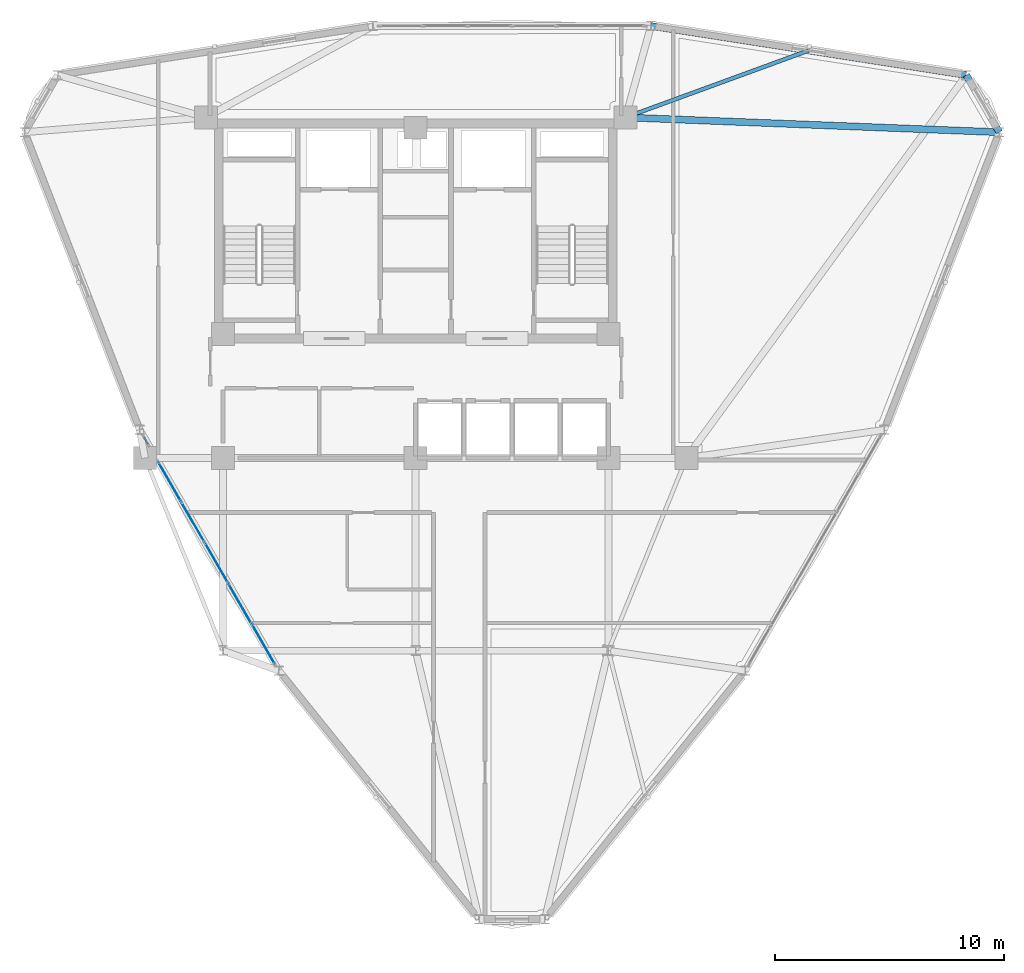
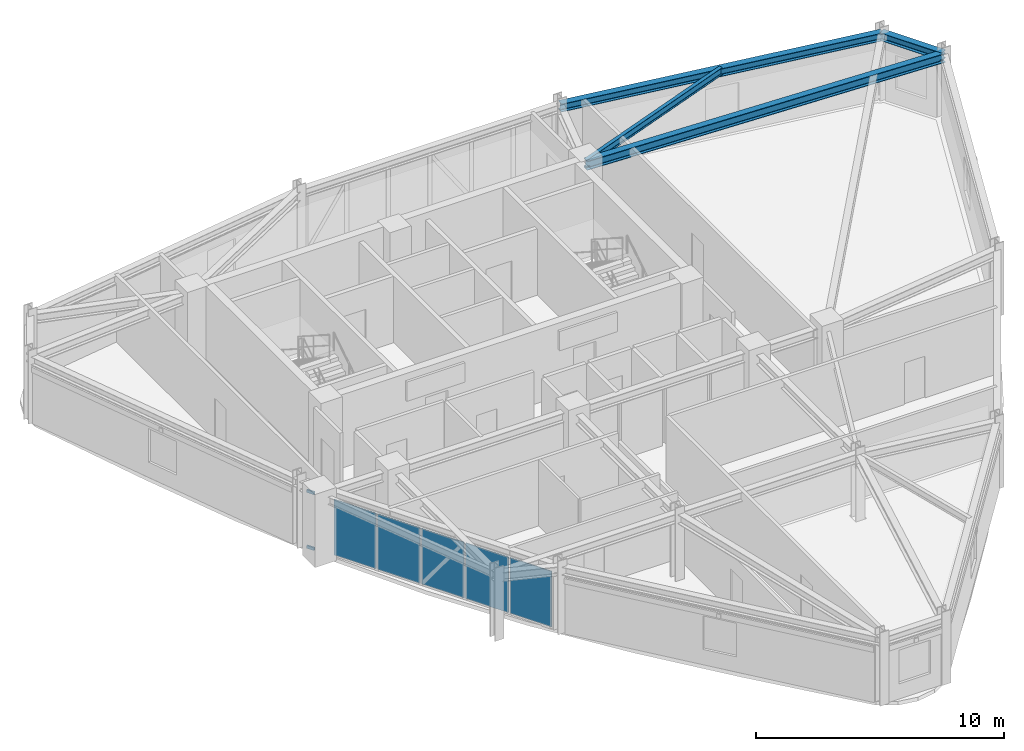
# One storey, part 10 of 16: 5 plates, 4 beams, 2 members, 2 elements without a shape of their own.
"""IFC4 building model written with IfcOpenShell, lengths in metres."""

from ifc_helpers import new_model, si_unit, derived_unit, direction, frame, origin, origin_2d, place, context, subcontext, project, spatial, rectangle, hollow_rectangle, i_section, extrude, source, transform, mapped, material, layer, layer_set, material_profile, profile_set, type_object, element, aggregate, save


model = new_model("IFC4")

# Units and contexts
model_context = context("Model", 3, precision=1e-05, world=origin(), true_north=direction((0.0, 1.0)))
body_context = subcontext(model_context, "Body", "Model", "MODEL_VIEW")
ifc_project = project(units=[si_unit("LENGTHUNIT", "METRE"), si_unit("AREAUNIT", "SQUARE_METRE"), si_unit("VOLUMEUNIT", "CUBIC_METRE"), si_unit("PLANEANGLEUNIT", "RADIAN"), si_unit("MASSUNIT", "GRAM", prefix="KILO"), derived_unit("THERMALTRANSMITTANCEUNIT", [(si_unit("POWERUNIT", "WATT"), 1), (si_unit("LENGTHUNIT", "METRE"), -2), (si_unit("THERMODYNAMICTEMPERATUREUNIT", "KELVIN"), -1)])], contexts=[model_context])

# Site, building, storey
site_placement = place(None, origin())
site = spatial("IfcSite", under=ifc_project, at=site_placement, CompositionType="ELEMENT")
building_placement = place(site_placement, origin())
building = spatial("IfcBuilding", under=site, at=building_placement, Name="Korsvarv Bourse and Concert Hall", CompositionType="ELEMENT")
storey_placement = place(building_placement, frame((0.0, 0.0, 234.60009765625)))
storey = spatial("IfcBuildingStorey", under=building, at=storey_placement, Name="L61", CompositionType="ELEMENT", Elevation=234.60009765625)

# Beams
ifc_material_1 = material(Name="Steel S355", Category="steel")
ifc_material_profile_1 = material_profile(ifc_material_1, i_section(OverallWidth=0.300048828125, OverallDepth=0.389892578125, WebThickness=0.010986328125, FlangeThickness=0.01904296875, FilletRadius=0.02099609375, at=origin_2d()), Name="HEA 400")
ifc_profile_set_1 = profile_set([ifc_material_profile_1], Name="Steel S355")
beam_type_1 = type_object("IfcBeamType", Name="BM-HEA400", PredefinedType="BEAM", material=ifc_profile_set_1)
shared_shape_1 = source(origin(), body_context, "Body", "SweptSolid", [
    extrude(i_section(OverallWidth=0.300048828125, OverallDepth=0.389892578125, WebThickness=0.010986328125, FlangeThickness=0.01904296875, FilletRadius=0.02099609375, at=origin_2d()), origin(), (0.0, 0.0, 1.0), 2.876708984375),
])
beam_1_placement = place(storey_placement, frame((61.447265625, 46.606201171875, 3.06494140625), z_axis=(-0.499945292477, 0.866056986884, 0.0), x_axis=(-0.866056986884, -0.499945292477, 0.0)))
element("IfcBeam", 1, at=beam_1_placement, inside=storey, type_object=beam_type_1, Name="L61 beam B-11", PredefinedType="BEAM", context=body_context, shape_type="MappedRepresentation", body=[
    mapped(shared_shape_1, transform((0.0, 0.0, 0.0), scale=1.0)),
])
shared_shape_2 = source(origin(), body_context, "Body", "SweptSolid", [
    extrude(i_section(OverallWidth=0.300048828125, OverallDepth=0.389892578125, WebThickness=0.010986328125, FlangeThickness=0.01904296875, FilletRadius=0.02099609375, at=origin_2d()), origin(), (0.0, 0.0, 1.0), 13.913330078125),
])
beam_2_placement = place(storey_placement, frame((60.009033203125, 49.09765625, 3.06494140625), z_axis=(-0.988060911996, 0.154063734169, 0.0), x_axis=(-0.154063734169, -0.988060911996, 0.0)))
element("IfcBeam", 2, at=beam_2_placement, inside=storey, type_object=beam_type_1, Name="L61 beam B-11", PredefinedType="BEAM", context=body_context, shape_type="MappedRepresentation", body=[
    mapped(shared_shape_2, transform((0.0, 0.0, 0.0), scale=1.0)),
])
ifc_material_profile_2 = material_profile(ifc_material_1, i_section(OverallWidth=0.300048828125, OverallDepth=0.449951171875, WebThickness=0.013916015625, FlangeThickness=0.02587890625, FilletRadius=0.02099609375, at=origin_2d()), Name="HEB 450")
ifc_profile_set_2 = profile_set([ifc_material_profile_2], Name="Steel S355")
beam_type_2 = type_object("IfcBeamType", Name="BM-HEB450", PredefinedType="SPANDREL", material=ifc_profile_set_2)
shared_shape_3 = source(origin(), body_context, "Body", "SweptSolid", [
    extrude(i_section(OverallWidth=0.300048828125, OverallDepth=0.449951171875, WebThickness=0.013916015625, FlangeThickness=0.02587890625, FilletRadius=0.02099609375, at=origin_2d()), origin(), (0.0, 0.0, 1.0), 16.31005859375),
])
beam_3_placement = place(storey_placement, frame((61.447265625, 46.606201171875, 3.034912109375), z_axis=(-0.999220658598, 0.039472464223, 0.0), x_axis=(-0.039472464223, -0.999220658598, 0.0)))
element("IfcBeam", 3, at=beam_3_placement, inside=storey, type_object=beam_type_2, Name="L61 beam B-08", PredefinedType="SPANDREL", context=body_context, shape_type="MappedRepresentation", body=[
    mapped(shared_shape_3, transform((0.0, 0.0, 0.0), scale=1.0)),
])
ifc_material_profile_3 = material_profile(ifc_material_1, i_section(OverallWidth=0.169921875, OverallDepth=0.360107421875, WebThickness=0.008056640625, FlangeThickness=0.0126953125, FilletRadius=0.01806640625, at=origin_2d()), Name="IPE 360")
ifc_profile_set_3 = profile_set([ifc_material_profile_3], Name="Steel S355")
beam_type_3 = type_object("IfcBeamType", Name="BM-IPE360", PredefinedType="JOIST", material=ifc_profile_set_3)
shared_shape_4 = source(origin(), body_context, "Body", "SweptSolid", [
    extrude(i_section(OverallWidth=0.169921875, OverallDepth=0.360107421875, WebThickness=0.008056640625, FlangeThickness=0.0126953125, FilletRadius=0.01806640625, at=origin_2d()), origin(), (0.0, 0.0, 1.0), 8.50244140625),
])
beam_4_placement = place(storey_placement, frame((53.135498046875, 50.16943359375, 3.079833984375), z_axis=(-0.939203499383, -0.343361015183, 0.0), x_axis=(0.343361015183, -0.939203499383, 0.0)))
element("IfcBeam", 4, at=beam_4_placement, inside=storey, type_object=beam_type_3, Name="L61 beam J-06", PredefinedType="JOIST", context=body_context, shape_type="MappedRepresentation", body=[
    mapped(shared_shape_4, transform((0.0, 0.0, 0.0), scale=1.0)),
])

# Curtain wall, members
ifc_material_2 = material(Name="Anodised aluminium and triple low-E glazing", Category="glass")
ifc_layer_1 = layer(ifc_material_2, 0.199951171875)
ifc_layer_set_1 = layer_set([ifc_layer_1], Name="Anodised aluminium and triple low-E glazing")
curtain_wall_type = type_object("IfcCurtainWallType", Name="CW-SYS-3", PredefinedType="NOTDEFINED", material=ifc_layer_set_1)
curtain_wall_1_placement = place(storey_placement, origin())
curtain_wall_1 = element("IfcCurtainWall", 5, at=curtain_wall_1_placement, inside=storey, type_object=curtain_wall_type, Name="L61 CW3 curtain wall CW-L61-F07-1", PredefinedType="NOTDEFINED")
ifc_material_3 = material(Name="Extruded aluminium EN AW-6063 T66", Category="aluminium")
ifc_material_profile_4 = material_profile(ifc_material_3, hollow_rectangle(XDim=0.06494140625, YDim=0.139892578125, WallThickness=0.00390625, at=origin_2d()), Name="ALU-T 65x140")
ifc_profile_set_4 = profile_set([ifc_material_profile_4], Name="Extruded aluminium EN AW-6063 T66")
member_type = type_object("IfcMemberType", Name="CWT-140", PredefinedType="USERDEFINED", material=ifc_profile_set_4)
shared_shape_5 = source(origin(), body_context, "Body", "SweptSolid", [
    extrude(hollow_rectangle(XDim=0.06494140625, YDim=0.139892578125, WallThickness=0.00390625, at=origin_2d()), origin(), (0.0, 0.0, 1.0), 0.34619140625),
])
member_1_placement = place(storey_placement, frame((24.15380859375, 33.310546875, 0.032470703125), z_axis=(0.500007335828, -0.866021168401, 0.0), x_axis=(0.866021168401, 0.500007335828, 0.0)))
member_1 = element("IfcMember", 6, at=member_1_placement, type_object=member_type, Name="CW3 transom 1.1", ObjectType="TRANSOM", PredefinedType="USERDEFINED", context=body_context, shape_type="MappedRepresentation", body=[
    mapped(shared_shape_5, transform((0.0, 0.0, 0.0), scale=1.0)),
])
member_2_placement = place(storey_placement, frame((24.15380859375, 33.310546875, 2.77734375), z_axis=(0.500007335828, -0.866021168401, 0.0), x_axis=(0.866021168401, 0.500007335828, 0.0)))
member_2 = element("IfcMember", 7, at=member_2_placement, type_object=member_type, Name="CW3 transom 1.2", ObjectType="TRANSOM", PredefinedType="USERDEFINED", context=body_context, shape_type="MappedRepresentation", body=[
    mapped(shared_shape_5, transform((0.0, 0.0, 0.0), scale=1.0)),
])
aggregate(curtain_wall_1, [member_1, member_2])

# Curtain wall, plates
curtain_wall_2_placement = place(storey_placement, origin())
curtain_wall_2 = element("IfcCurtainWall", 8, at=curtain_wall_2_placement, inside=storey, type_object=curtain_wall_type, Name="L61 CW3 curtain wall CW-L61-F07-2", PredefinedType="NOTDEFINED")
ifc_material_4 = material(Name="Tempered triple insulated low-E architectural glass", Category="glass")
ifc_layer_2 = layer(ifc_material_4, 0.0380859375)
ifc_layer_set_2 = layer_set([ifc_layer_2], Name="Tempered triple insulated low-E architectural glass")
plate_type_1 = type_object("IfcPlateType", Name="CWP-VIS2", PredefinedType="CURTAIN_PANEL", material=ifc_layer_set_2)
shared_shape_6 = source(origin(), body_context, "Body", "SweptSolid", [
    extrude(rectangle(XDim=1.947998046875, YDim=0.0380859375, at=origin_2d()), origin(), (0.0, 0.0, 1.0), 2.739990234375),
])
plate_1_placement = place(storey_placement, frame((25.27197265625, 31.373779296875, 0.06494140625), z_axis=(0.0, 0.0, 1.0), x_axis=(0.499999881045, -0.866025472463, 0.0)))
plate_1 = element("IfcPlate", 9, at=plate_1_placement, type_object=plate_type_1, Name="CW3 faceted panel 1.1", PredefinedType="CURTAIN_PANEL", context=body_context, shape_type="MappedRepresentation", body=[
    mapped(shared_shape_6, transform((0.0, 0.0, 0.0), scale=1.0)),
])
plate_2_placement = place(storey_placement, frame((29.360595703125, 24.2919921875, 0.06494140625), z_axis=(0.0, 0.0, 1.0), x_axis=(0.499999881045, -0.866025472463, 0.0)))
plate_2 = element("IfcPlate", 10, at=plate_2_placement, type_object=plate_type_1, Name="CW3 faceted panel 5.1", PredefinedType="CURTAIN_PANEL", context=body_context, shape_type="MappedRepresentation", body=[
    mapped(shared_shape_6, transform((0.0, 0.0, 0.0), scale=1.0)),
])
shared_shape_7 = source(origin(), body_context, "Body", "SweptSolid", [
    extrude(rectangle(XDim=1.983154296875, YDim=0.0380859375, at=origin_2d()), origin(), (0.0, 0.0, 1.0), 2.739990234375),
])
plate_3_placement = place(storey_placement, frame((26.289794921875, 29.61083984375, 0.06494140625), z_axis=(0.0, 0.0, 1.0), x_axis=(0.499999881045, -0.866025472463, 0.0)))
plate_3 = element("IfcPlate", 11, at=plate_3_placement, type_object=plate_type_1, Name="CW3 faceted panel 2.1", PredefinedType="CURTAIN_PANEL", context=body_context, shape_type="MappedRepresentation", body=[
    mapped(shared_shape_7, transform((0.0, 0.0, 0.0), scale=1.0)),
])
plate_4_placement = place(storey_placement, frame((28.3427734375, 26.054931640625, 0.06494140625), z_axis=(0.0, 0.0, 1.0), x_axis=(0.499999881045, -0.866025472463, 0.0)))
plate_4 = element("IfcPlate", 12, at=plate_4_placement, type_object=plate_type_1, Name="CW3 faceted panel 4.1", PredefinedType="CURTAIN_PANEL", context=body_context, shape_type="MappedRepresentation", body=[
    mapped(shared_shape_7, transform((0.0, 0.0, 0.0), scale=1.0)),
])
ifc_material_5 = material(Name="Insulated spandrel glass", Category="glass")
ifc_layer_3 = layer(ifc_material_5, 0.031982421875)
ifc_layer_set_3 = layer_set([ifc_layer_3], Name="Insulated spandrel glass")
plate_type_2 = type_object("IfcPlateType", Name="CWP-SPD1", PredefinedType="CURTAIN_PANEL", material=ifc_layer_set_3)
shared_shape_8 = source(origin(), body_context, "Body", "SweptSolid", [
    extrude(rectangle(XDim=1.983154296875, YDim=0.031982421875, at=origin_2d()), origin(), (0.0, 0.0, 1.0), 2.739990234375),
])
plate_5_placement = place(storey_placement, frame((27.31640625, 27.832763671875, 0.06494140625), z_axis=(0.0, 0.0, 1.0), x_axis=(0.499999881045, -0.866025472463, 0.0)))
plate_5 = element("IfcPlate", 13, at=plate_5_placement, type_object=plate_type_2, Name="CW3 spandrel shadow-box panel 3.1", PredefinedType="CURTAIN_PANEL", context=body_context, shape_type="MappedRepresentation", body=[
    mapped(shared_shape_8, transform((0.0, 0.0, 0.0), scale=1.0)),
])
aggregate(curtain_wall_2, [plate_1, plate_3, plate_5, plate_4, plate_2])

save(model, "model.ifc")
